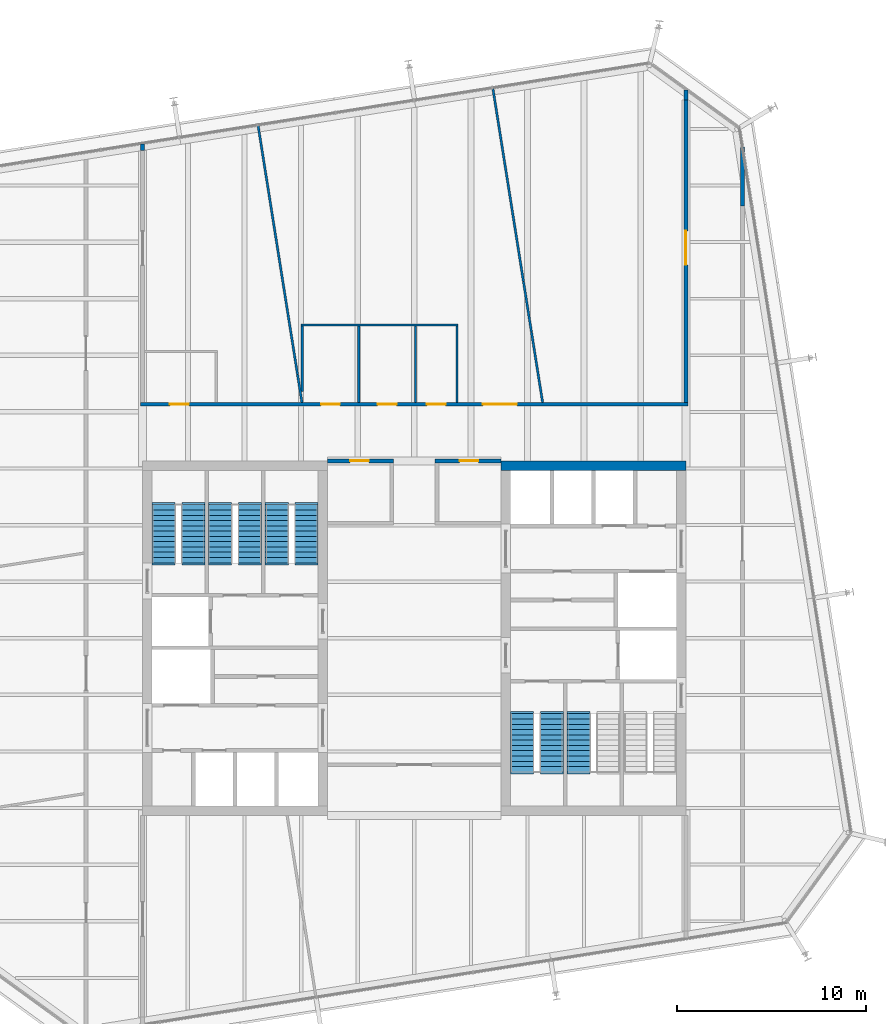
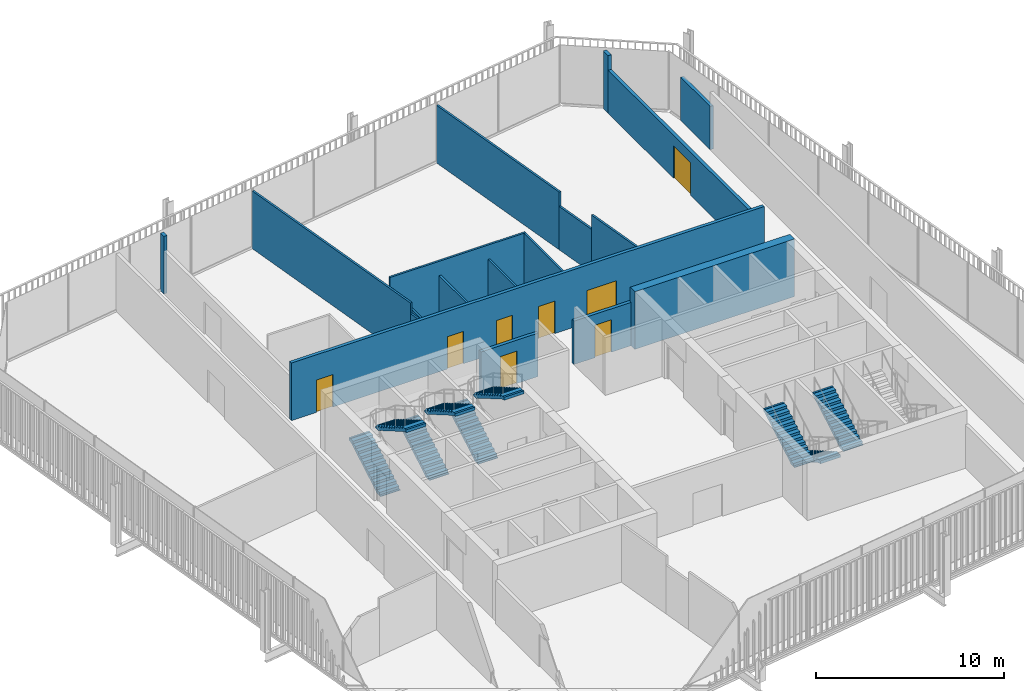
# One storey, part 18 of 20: 18 walls, 9 stair flights, 8 doors, 8 openings, 5 elements without a shape of their own.
"""IFC4 building model written with IfcOpenShell, lengths in metres."""

import ifcopenshell
import ifcopenshell.guid

model = None  # the IFC model being written
_history = None  # IfcOwnerHistory: only IFC2X3 demands one
_inside = {}  # id of a spatial element -> (the spatial element, [elements in it])
_under = {}  # id of a project, library or spatial element -> (it, [spatial elements below it])
_declared = {}  # id of a project -> (the project, [libraries it declares])
_typed = {}  # id of a type object -> (the type object, [elements of that type])
_made_of = {}  # id of a material, layer set ... -> (it, [elements and type objects made of it])


def new_model(schema):
    """Start an empty IFC model of exactly this schema.

    Asked for "IFC4X3", IfcOpenShell would pick the latest addendum, in which some entities
    have other attributes; the version numbers below select the first issue.
    IFC2X3 requires an IfcOwnerHistory on every rooted entity: one is made here for all.
    """
    global model, _history
    if schema == "IFC4X3":
        model = ifcopenshell.file(schema_version=(4, 3, 0, 0))
    else:
        model = ifcopenshell.file(schema=schema)
    _inside.clear()
    _under.clear()
    _declared.clear()
    _typed.clear()
    _made_of.clear()
    _history = None
    if model.schema == "IFC2X3":
        org = make("IfcOrganization", Name="unknown")
        user = make(
            "IfcPersonAndOrganization",
            ThePerson=make("IfcPerson", FamilyName="unknown"),
            TheOrganization=org,
        )
        app = make(
            "IfcApplication",
            ApplicationDeveloper=org,
            Version="unknown",
            ApplicationFullName="unknown",
            ApplicationIdentifier="unknown",
        )
        _history = make(
            "IfcOwnerHistory",
            OwningUser=user,
            OwningApplication=app,
            ChangeAction="ADDED",
            CreationDate=0,
        )
    return model


def make(cls, **values):
    """One entity of the class cls with the attributes given. An attribute that is None is left unset."""
    return model.create_entity(
        cls, **{name: value for name, value in values.items() if value is not None}
    )


def rooted(cls, **values):
    """An entity with a GlobalId (a new one), such as an element, a storey or a relation."""
    return make(cls, GlobalId=ifcopenshell.guid.new(), OwnerHistory=_history, **values)


def si_unit(unit_type, name, prefix=None):
    """IfcSIUnit, for example si_unit("LENGTHUNIT", "METRE", prefix="MILLI")."""
    return make("IfcSIUnit", UnitType=unit_type, Prefix=prefix, Name=name)


def assignment(units):
    """IfcUnitAssignment: the units of a project."""
    return None if units is None else make("IfcUnitAssignment", Units=units)


def point(xyz):
    """IfcCartesianPoint."""
    return None if xyz is None else make("IfcCartesianPoint", Coordinates=xyz)


def direction(xyz):
    """IfcDirection."""
    return None if xyz is None else make("IfcDirection", DirectionRatios=xyz)


def frame(location, z_axis=None, x_axis=None):
    """IfcAxis2Placement3D, a coordinate frame: its origin and axes. An axis left out is left unset."""
    return make(
        "IfcAxis2Placement3D",
        Location=point(location),
        Axis=direction(z_axis),
        RefDirection=direction(x_axis),
    )


def frame_2d(location, x_axis=None):
    """IfcAxis2Placement2D, a coordinate frame in the plane: its origin and x axis."""
    return make(
        "IfcAxis2Placement2D", Location=point(location), RefDirection=direction(x_axis)
    )


def origin():
    """The frame at (0, 0, 0) with its axes left unset."""
    return frame((0.0, 0.0, 0.0))


def place(relative_to, where):
    """IfcLocalPlacement: puts the frame where relative to a parent placement (None: the world)."""
    return make(
        "IfcLocalPlacement", PlacementRelTo=relative_to, RelativePlacement=where
    )


def context(
    kind, dimensions, precision=None, world=None, true_north=None, identifier=None
):
    """IfcGeometricRepresentationContext, for example the 3D "Model" context."""
    return make(
        "IfcGeometricRepresentationContext",
        ContextIdentifier=identifier,
        ContextType=kind,
        CoordinateSpaceDimension=dimensions,
        Precision=precision,
        WorldCoordinateSystem=world,
        TrueNorth=true_north,
    )


def subcontext(parent, identifier, kind, view, scale=None):
    """IfcGeometricRepresentationSubContext, for example "Body" below "Model"."""
    return make(
        "IfcGeometricRepresentationSubContext",
        ContextIdentifier=identifier,
        ContextType=kind,
        ParentContext=parent,
        TargetScale=scale,
        TargetView=view,
    )


def project(units=None, contexts=None):
    """IfcProject with its units and contexts."""
    return rooted(
        "IfcProject",
        Name="project",
        RepresentationContexts=contexts,
        UnitsInContext=assignment(units),
    )


def spatial(cls, under=None, at=None, **own):
    """A site, building, storey or space (cls), placed at a placement, below another one or the project."""
    s = rooted(cls, ObjectPlacement=at, **own)
    if under is not None:
        _under.setdefault(under.id(), (under, []))[1].append(s)
    return s


def polyline(points):
    """IfcPolyline through the points."""
    return make("IfcPolyline", Points=[point(p) for p in points])


def profile(cls, at=None, kind="AREA", **sizes):
    """A parametric profile (cls). Its sizes go by their IFC names, for example OverallWidth=200.0."""
    return make(cls, ProfileType=kind, Position=at, **sizes)


def rectangle(**sizes):
    """IfcRectangleProfileDef."""
    return profile("IfcRectangleProfileDef", **sizes)


def outline(outer, holes=None, kind="AREA"):
    """IfcArbitraryClosedProfileDef: a profile drawn as a closed curve; with holes, ...WithVoids."""
    if holes is None:
        return make("IfcArbitraryClosedProfileDef", ProfileType=kind, OuterCurve=outer)
    return make(
        "IfcArbitraryProfileDefWithVoids",
        ProfileType=kind,
        OuterCurve=outer,
        InnerCurves=holes,
    )


def extrude(swept, where, along, depth):
    """IfcExtrudedAreaSolid: the profile swept, set in the frame where, extruded along a direction by depth."""
    return make(
        "IfcExtrudedAreaSolid",
        SweptArea=swept,
        Position=where,
        ExtrudedDirection=direction(along),
        Depth=depth,
    )


def shape(context_of_items, identifier, shape_type, items):
    """IfcShapeRepresentation: the items that make up one representation, for example the "Body"."""
    return make(
        "IfcShapeRepresentation",
        ContextOfItems=context_of_items,
        RepresentationIdentifier=identifier,
        RepresentationType=shape_type,
        Items=items,
    )


def material(Name=None, Category=None):
    """IfcMaterial."""
    return make("IfcMaterial", Name=Name, Category=Category)


def layer(
    of_material, thickness, ventilated=None, Name=None, Category=None, Priority=None
):
    """IfcMaterialLayer: one layer of a wall or slab, of a material (None: an air gap)."""
    return make(
        "IfcMaterialLayer",
        Material=of_material,
        LayerThickness=thickness,
        IsVentilated=ventilated,
        Name=Name,
        Category=Category,
        Priority=Priority,
    )


def layer_set(layers, Name=None):
    """IfcMaterialLayerSet."""
    return make("IfcMaterialLayerSet", MaterialLayers=layers, LayerSetName=Name)


def made_of(thing, what):
    """Note that an element or type object is made of a material, layer set ...; save() writes the relation."""
    if what is not None:
        _made_of.setdefault(what.id(), (what, []))[1].append(thing)
    return thing


def type_object(cls, material=None, **own):
    """A type object (cls), such as IfcWallType, which elements share."""
    return made_of(rooted(cls, **own), material)


def element(
    cls,
    number,
    at=None,
    inside=None,
    cuts=None,
    type_object=None,
    material=None,
    context=None,
    identifier="Body",
    shape_type=None,
    held_by="IfcProductDefinitionShape",
    body=None,
    shapes=None,
    **own,
):
    """One element of the class cls, such as IfcWall. Its Tag is "e" and its number.

    at: its placement. inside: the storey or other place that contains it. cuts: it is an
    opening in that element (IfcRelVoidsElement). A single representation is given by context,
    identifier, shape_type and body (its items); several are given by shapes. held_by: the class
    of the entity that holds the representations. save() writes the other relations.
    """
    e = rooted(cls, Tag="e%d" % number, ObjectPlacement=at, **own)
    if body is not None:
        shapes = [shape(context, identifier, shape_type, body)]
    if shapes is not None:
        e.Representation = make(held_by, Representations=shapes)
    if inside is not None:
        _inside.setdefault(inside.id(), (inside, []))[1].append(e)
    if cuts is not None:
        rooted(
            "IfcRelVoidsElement", RelatingBuildingElement=cuts, RelatedOpeningElement=e
        )
    if type_object is not None:
        _typed.setdefault(type_object.id(), (type_object, []))[1].append(e)
    return made_of(e, material)


def fill(opening, filler):
    """IfcRelFillsElement: the door or window that sits in an opening."""
    return rooted(
        "IfcRelFillsElement",
        RelatingOpeningElement=opening,
        RelatedBuildingElement=filler,
    )


def aggregate(whole, parts):
    """IfcRelAggregates: a whole, such as a stair, and the parts it consists of."""
    return rooted("IfcRelAggregates", RelatingObject=whole, RelatedObjects=parts)


def save(model, path):
    """Write the relations noted so far, then the file.

    IfcRelAggregates (storeys below a building ...), IfcRelContainedInSpatialStructure (elements
    in a storey), IfcRelDefinesByType, IfcRelAssociatesMaterial and IfcRelDeclares: one each for
    every whole, place, type object, material and project.
    """
    for whole, parts in _under.values():
        aggregate(whole, parts)
    for where, things in _inside.values():
        rooted(
            "IfcRelContainedInSpatialStructure",
            RelatedElements=things,
            RelatingStructure=where,
        )
    for kind, things in _typed.values():
        rooted("IfcRelDefinesByType", RelatedObjects=things, RelatingType=kind)
    for what, things in _made_of.values():
        rooted("IfcRelAssociatesMaterial", RelatedObjects=things, RelatingMaterial=what)
    for by, libraries in _declared.values():
        rooted("IfcRelDeclares", RelatingContext=by, RelatedDefinitions=libraries)
    model.write(path)


model = new_model("IFC4")

# Units and contexts
model_context = context("Model", 3, precision=1e-05, world=origin(), true_north=direction((0.0, 1.0)))
body_context = subcontext(model_context, "Body", "Model", "MODEL_VIEW")
ifc_project = project(units=[si_unit("LENGTHUNIT", "METRE"), si_unit("AREAUNIT", "SQUARE_METRE"), si_unit("VOLUMEUNIT", "CUBIC_METRE"), si_unit("PLANEANGLEUNIT", "RADIAN"), si_unit("MASSUNIT", "GRAM", prefix="KILO")], contexts=[model_context])

# Site, building, storey
site_placement = place(None, origin())
site = spatial("IfcSite", under=ifc_project, at=site_placement, CompositionType="ELEMENT")
building_placement = place(site_placement, origin())
building = spatial("IfcBuilding", under=site, at=building_placement, Name="Millrace Tower", CompositionType="ELEMENT")
storey_placement = place(building_placement, frame((0.0, 0.0, 208.60009765625)))
storey = spatial("IfcBuildingStorey", under=building, at=storey_placement, Name="L47", CompositionType="ELEMENT", Elevation=208.60009765625)

# Wall
ifc_material_1 = material(Name="Concrete C60", Category="concrete")
ifc_layer_1 = layer(ifc_material_1, 0.5)
ifc_layer_set_1 = layer_set([ifc_layer_1], Name="Concrete C60")
wall_type_1 = type_object("IfcWallType", Name="Core wall 500 Concrete C60", PredefinedType="SHEAR", material=ifc_layer_set_1)
wall_1_placement = place(storey_placement, frame((14.39990234375, 9.14990234375, 0.0), z_axis=(0.0, 0.0, 1.0), x_axis=(-1.0, 0.0, 0.0)))
element("IfcWall", 1, at=wall_1_placement, inside=storey, type_object=wall_type_1, Name="Core wall E L47", PredefinedType="SHEAR", context=body_context, shape_type="SweptSolid", body=[
    extrude(rectangle(XDim=9.7998046875, YDim=0.5, at=frame_2d((4.89990234375, 0.0))), origin(), (0.0, 0.0, 1.0), 3.739990234375),
])

# Wall, opening, door
ifc_material_2 = material(Name="Masonry partition, fire-rated", Category="masonry")
ifc_layer_2 = layer(ifc_material_2, 0.199951171875)
ifc_layer_set_2 = layer_set([ifc_layer_2], Name="Masonry partition, fire-rated")
wall_type_2 = type_object("IfcWallType", Name="Corridor wall 200", PredefinedType="PARTITIONING", material=ifc_layer_set_2)
wall_2_placement = place(storey_placement, frame((-4.60009765625, 9.39990234375, 0.0), z_axis=(0.0, 0.0, 1.0), x_axis=(1.0, 0.0, 0.0)))
wall_2 = element("IfcWall", 2, at=wall_2_placement, inside=storey, type_object=wall_type_2, Name="Corridor wall L47", PredefinedType="PARTITIONING", context=body_context, shape_type="SweptSolid", body=[
    extrude(rectangle(XDim=3.5, YDim=0.199951171875, at=frame_2d((1.75, 0.0))), origin(), (0.0, 0.0, 1.0), 2.812744140625),
])
opening_1_placement = place(wall_2_placement, frame((1.199951171875, 0.0, 0.0)))
opening_1 = element("IfcOpeningElement", 3, at=opening_1_placement, cuts=wall_2, Name="Opening 47-P001", PredefinedType="OPENING", context=body_context, shape_type="SweptSolid", body=[
    extrude(rectangle(XDim=1.0, YDim=2.10009765625, at=frame_2d((0.5, 1.050048828125))), frame((0.0, 0.10986328125, 0.0), z_axis=(0.0, -1.0, 0.0), x_axis=(1.0, 0.0, 0.0)), (0.0, 0.0, 1.0), 0.219970703125),
])
ifc_material_3 = material(Name="Steel door set, fire-rated", Category="steel")
door_type_1 = type_object("IfcDoorType", Name="Corridor door 1000 x 2100", OperationType="SINGLE_SWING_LEFT", PredefinedType="DOOR", material=ifc_material_3)
door_1_placement = place(opening_1_placement, frame((1.0, 0.0, 0.0), z_axis=(0.0, 0.0, 1.0), x_axis=(-1.0, 0.0, 0.0)))
door_1 = element("IfcDoor", 4, at=door_1_placement, inside=storey, type_object=door_type_1, Name="Door 47-P001", OperationType="SINGLE_SWING_RIGHT", OverallHeight=2.10009765625, OverallWidth=1.0, PredefinedType="DOOR", context=body_context, shape_type="SweptSolid", body=[
    extrude(rectangle(XDim=1.0, YDim=2.10009765625, at=frame_2d((0.5, 1.050048828125))), frame((0.0, 0.02490234375, 0.0), z_axis=(0.0, -1.0, 0.0), x_axis=(1.0, 0.0, 0.0)), (0.0, 0.0, 1.0), 0.050048828125),
])
fill(opening_1, door_1)

wall_3_placement = place(storey_placement, frame((1.10009765625, 9.39990234375, 0.0), z_axis=(0.0, 0.0, 1.0), x_axis=(1.0, 0.0, 0.0)))
wall_3 = element("IfcWall", 5, at=wall_3_placement, inside=storey, type_object=wall_type_2, Name="Corridor wall L47", PredefinedType="PARTITIONING", context=body_context, shape_type="SweptSolid", body=[
    extrude(rectangle(XDim=3.5, YDim=0.199951171875, at=frame_2d((1.75, 0.0))), origin(), (0.0, 0.0, 1.0), 2.812744140625),
])
opening_2_placement = place(wall_3_placement, frame((1.300048828125, 0.0, 0.0)))
opening_2 = element("IfcOpeningElement", 6, at=opening_2_placement, cuts=wall_3, Name="Opening 47-P002", PredefinedType="OPENING", context=body_context, shape_type="SweptSolid", body=[
    extrude(rectangle(XDim=1.0, YDim=2.10009765625, at=frame_2d((0.5, 1.050048828125))), frame((0.0, 0.10986328125, 0.0), z_axis=(0.0, -1.0, 0.0), x_axis=(1.0, 0.0, 0.0)), (0.0, 0.0, 1.0), 0.219970703125),
])
door_2_placement = place(opening_2_placement, frame((1.0, 0.0, 0.0), z_axis=(0.0, 0.0, 1.0), x_axis=(-1.0, 0.0, 0.0)))
door_2 = element("IfcDoor", 7, at=door_2_placement, inside=storey, type_object=door_type_1, Name="Door 47-P002", OperationType="SINGLE_SWING_RIGHT", OverallHeight=2.10009765625, OverallWidth=1.0, PredefinedType="DOOR", context=body_context, shape_type="SweptSolid", body=[
    extrude(rectangle(XDim=1.0, YDim=2.10009765625, at=frame_2d((0.5, 1.050048828125))), frame((0.0, 0.02490234375, 0.0), z_axis=(0.0, -1.0, 0.0), x_axis=(1.0, 0.0, 0.0)), (0.0, 0.0, 1.0), 0.050048828125),
])
fill(opening_2, door_2)

# Wall, openings, doors
wall_4_placement = place(storey_placement, frame((-14.5, 12.39990234375, 0.0), z_axis=(0.0, 0.0, 1.0), x_axis=(1.0, 0.0, 0.0)))
wall_4 = element("IfcWall", 8, at=wall_4_placement, inside=storey, type_object=wall_type_2, Name="Corridor wall L47", PredefinedType="PARTITIONING", context=body_context, shape_type="SweptSolid", body=[
    extrude(rectangle(XDim=29.0, YDim=0.199951171875, at=frame_2d((14.5, 0.0))), origin(), (0.0, 0.0, 1.0), 3.739990234375),
])
opening_3_placement = place(wall_4_placement, frame((1.550048828125, 0.0, 0.0)))
opening_3 = element("IfcOpeningElement", 9, at=opening_3_placement, cuts=wall_4, Name="Opening 47-P007", PredefinedType="OPENING", context=body_context, shape_type="SweptSolid", body=[
    extrude(rectangle(XDim=1.0, YDim=2.10009765625, at=frame_2d((0.5, 1.050048828125))), frame((0.0, 0.10986328125, 0.0), z_axis=(0.0, -1.0, 0.0), x_axis=(1.0, 0.0, 0.0)), (0.0, 0.0, 1.0), 0.219970703125),
])
opening_4_placement = place(wall_4_placement, frame((18.140380859375, 0.0, 0.0)))
opening_4 = element("IfcOpeningElement", 10, at=opening_4_placement, cuts=wall_4, Name="Opening 47-P008", PredefinedType="OPENING", context=body_context, shape_type="SweptSolid", body=[
    extrude(rectangle(XDim=1.800048828125, YDim=2.10009765625, at=frame_2d((0.89990234375, 1.050048828125))), frame((0.0, 0.10986328125, 0.0), z_axis=(0.0, -1.0, 0.0), x_axis=(1.0, 0.0, 0.0)), (0.0, 0.0, 1.0), 0.219970703125),
])
opening_5_placement = place(wall_4_placement, frame((9.56201171875, 0.0, 0.0)))
opening_5 = element("IfcOpeningElement", 11, at=opening_5_placement, cuts=wall_4, Name="Opening 47-P009", PredefinedType="OPENING", context=body_context, shape_type="SweptSolid", body=[
    extrude(rectangle(XDim=1.0, YDim=2.10009765625, at=frame_2d((0.5, 1.050048828125))), frame((0.0, 0.10986328125, 0.0), z_axis=(0.0, -1.0, 0.0), x_axis=(1.0, 0.0, 0.0)), (0.0, 0.0, 1.0), 0.219970703125),
])
opening_6_placement = place(wall_4_placement, frame((12.56201171875, 0.0, 0.0)))
opening_6 = element("IfcOpeningElement", 12, at=opening_6_placement, cuts=wall_4, Name="Opening 47-P010", PredefinedType="OPENING", context=body_context, shape_type="SweptSolid", body=[
    extrude(rectangle(XDim=1.0, YDim=2.10009765625, at=frame_2d((0.5, 1.050048828125))), frame((0.0, 0.10986328125, 0.0), z_axis=(0.0, -1.0, 0.0), x_axis=(1.0, 0.0, 0.0)), (0.0, 0.0, 1.0), 0.219970703125),
])
opening_7_placement = place(wall_4_placement, frame((15.162109375, 0.0, 0.0)))
opening_7 = element("IfcOpeningElement", 13, at=opening_7_placement, cuts=wall_4, Name="Opening 47-P011", PredefinedType="OPENING", context=body_context, shape_type="SweptSolid", body=[
    extrude(rectangle(XDim=1.0, YDim=2.10009765625, at=frame_2d((0.5, 1.050048828125))), frame((0.0, 0.10986328125, 0.0), z_axis=(0.0, -1.0, 0.0), x_axis=(1.0, 0.0, 0.0)), (0.0, 0.0, 1.0), 0.219970703125),
])
door_3_placement = place(opening_3_placement, origin())
door_3 = element("IfcDoor", 14, at=door_3_placement, inside=storey, type_object=door_type_1, Name="Door 47-P007", OperationType="SINGLE_SWING_LEFT", OverallHeight=2.10009765625, OverallWidth=1.0, PredefinedType="DOOR", context=body_context, shape_type="SweptSolid", body=[
    extrude(rectangle(XDim=1.0, YDim=2.10009765625, at=frame_2d((0.5, 1.050048828125))), frame((0.0, 0.02490234375, 0.0), z_axis=(0.0, -1.0, 0.0), x_axis=(1.0, 0.0, 0.0)), (0.0, 0.0, 1.0), 0.050048828125),
])
fill(opening_3, door_3)
door_4_placement = place(opening_5_placement, origin())
door_4 = element("IfcDoor", 15, at=door_4_placement, inside=storey, type_object=door_type_1, Name="Door 47-P009", OperationType="SINGLE_SWING_LEFT", OverallHeight=2.10009765625, OverallWidth=1.0, PredefinedType="DOOR", context=body_context, shape_type="SweptSolid", body=[
    extrude(rectangle(XDim=1.0, YDim=2.10009765625, at=frame_2d((0.5, 1.050048828125))), frame((0.0, 0.02490234375, 0.0), z_axis=(0.0, -1.0, 0.0), x_axis=(1.0, 0.0, 0.0)), (0.0, 0.0, 1.0), 0.050048828125),
])
fill(opening_5, door_4)
door_5_placement = place(opening_6_placement, origin())
door_5 = element("IfcDoor", 16, at=door_5_placement, inside=storey, type_object=door_type_1, Name="Door 47-P010", OperationType="SINGLE_SWING_LEFT", OverallHeight=2.10009765625, OverallWidth=1.0, PredefinedType="DOOR", context=body_context, shape_type="SweptSolid", body=[
    extrude(rectangle(XDim=1.0, YDim=2.10009765625, at=frame_2d((0.5, 1.050048828125))), frame((0.0, 0.02490234375, 0.0), z_axis=(0.0, -1.0, 0.0), x_axis=(1.0, 0.0, 0.0)), (0.0, 0.0, 1.0), 0.050048828125),
])
fill(opening_6, door_5)
door_6_placement = place(opening_7_placement, origin())
door_6 = element("IfcDoor", 17, at=door_6_placement, inside=storey, type_object=door_type_1, Name="Door 47-P011", OperationType="SINGLE_SWING_RIGHT", OverallHeight=2.10009765625, OverallWidth=1.0, PredefinedType="DOOR", context=body_context, shape_type="SweptSolid", body=[
    extrude(rectangle(XDim=1.0, YDim=2.10009765625, at=frame_2d((0.5, 1.050048828125))), frame((0.0, 0.02490234375, 0.0), z_axis=(0.0, -1.0, 0.0), x_axis=(1.0, 0.0, 0.0)), (0.0, 0.0, 1.0), 0.050048828125),
])
fill(opening_7, door_6)
ifc_material_4 = material(Name="Steel door set, fire-rated", Category="steel")
door_type_2 = type_object("IfcDoorType", Name="Corridor door 1800 x 2100", OperationType="DOUBLE_DOOR_SINGLE_SWING", PredefinedType="DOOR", material=ifc_material_4)
door_7_placement = place(opening_4_placement, frame((1.800048828125, 0.0, 0.0), z_axis=(0.0, 0.0, 1.0), x_axis=(-1.0, 0.0, 0.0)))
door_7 = element("IfcDoor", 18, at=door_7_placement, inside=storey, type_object=door_type_2, Name="Door 47-P008", OperationType="DOUBLE_DOOR_SINGLE_SWING", OverallHeight=2.10009765625, OverallWidth=1.800048828125, PredefinedType="DOOR", context=body_context, shape_type="SweptSolid", body=[
    extrude(rectangle(XDim=1.800048828125, YDim=2.10009765625, at=frame_2d((0.89990234375, 1.050048828125))), frame((0.0, 0.02490234375, 0.0), z_axis=(0.0, -1.0, 0.0), x_axis=(1.0, 0.0, 0.0)), (0.0, 0.0, 1.0), 0.050048828125),
])
fill(opening_4, door_7)

# Wall
wall_5_placement = place(storey_placement, frame((17.39990234375, 22.9052734375, 0.0), z_axis=(0.0, 0.0, 1.0), x_axis=(0.0, 1.0, 0.0)))
element("IfcWall", 19, at=wall_5_placement, inside=storey, type_object=wall_type_2, Name="Corridor wall L47", PredefinedType="PARTITIONING", context=body_context, shape_type="SweptSolid", body=[
    extrude(rectangle(XDim=3.137451171875, YDim=0.199951171875, at=frame_2d((1.56884765625, 0.0))), origin(), (0.0, 0.0, 1.0), 2.812744140625),
])

# Wall, opening, door
wall_6_placement = place(storey_placement, frame((14.39990234375, 12.5, 0.0), z_axis=(0.0, 0.0, 1.0), x_axis=(0.0, 1.0, 0.0)))
wall_6 = element("IfcWall", 20, at=wall_6_placement, inside=storey, type_object=wall_type_2, Name="Corridor wall L47", PredefinedType="PARTITIONING", context=body_context, shape_type="SweptSolid", body=[
    extrude(rectangle(XDim=16.040771484375, YDim=0.199951171875, at=frame_2d((8.0205078125, 0.0))), origin(), (0.0, 0.0, 1.0), 2.79248046875),
])
opening_8_placement = place(wall_6_placement, frame((7.298095703125, 0.0, 0.0)))
opening_8 = element("IfcOpeningElement", 21, at=opening_8_placement, cuts=wall_6, Name="Opening 47-P012", PredefinedType="OPENING", context=body_context, shape_type="SweptSolid", body=[
    extrude(rectangle(XDim=1.800048828125, YDim=2.10009765625, at=frame_2d((0.89990234375, 1.050048828125))), frame((0.0, 0.10986328125, 0.0), z_axis=(0.0, -1.0, 0.0), x_axis=(1.0, 0.0, 0.0)), (0.0, 0.0, 1.0), 0.219970703125),
])
door_8_placement = place(opening_8_placement, frame((1.800048828125, 0.0, 0.0), z_axis=(0.0, 0.0, 1.0), x_axis=(-1.0, 0.0, 0.0)))
door_8 = element("IfcDoor", 22, at=door_8_placement, inside=storey, type_object=door_type_2, Name="Door 47-P012", OperationType="DOUBLE_DOOR_SINGLE_SWING", OverallHeight=2.10009765625, OverallWidth=1.800048828125, PredefinedType="DOOR", context=body_context, shape_type="SweptSolid", body=[
    extrude(rectangle(XDim=1.800048828125, YDim=2.10009765625, at=frame_2d((0.89990234375, 1.050048828125))), frame((0.0, 0.02490234375, 0.0), z_axis=(0.0, -1.0, 0.0), x_axis=(1.0, 0.0, 0.0)), (0.0, 0.0, 1.0), 0.050048828125),
])
fill(opening_8, door_8)

# Walls
wall_7_placement = place(storey_placement, frame((14.39990234375, 28.540771484375, 0.0), z_axis=(0.0, 0.0, 1.0), x_axis=(0.0, 1.0, 0.0)))
element("IfcWall", 23, at=wall_7_placement, inside=storey, type_object=wall_type_2, Name="Corridor wall L47", PredefinedType="PARTITIONING", context=body_context, shape_type="SweptSolid", body=[
    extrude(rectangle(XDim=0.51708984375, YDim=0.199951171875, at=frame_2d((0.258544921875, 0.0))), origin(), (0.0, 0.0, 1.0), 3.739990234375),
])
wall_8_placement = place(storey_placement, frame((-14.39990234375, 25.8486328125, 0.0), z_axis=(0.0, 0.0, 1.0), x_axis=(0.0, 1.0, 0.0)))
element("IfcWall", 24, at=wall_8_placement, inside=storey, type_object=wall_type_2, Name="Corridor wall L47", PredefinedType="PARTITIONING", context=body_context, shape_type="SweptSolid", body=[
    extrude(rectangle(XDim=0.349609375, YDim=0.199951171875, at=frame_2d((0.1748046875, 0.0))), origin(), (0.0, 0.0, 1.0), 3.739990234375),
])
ifc_material_5 = material(Name="Gypsum board partition")
ifc_layer_3 = layer(ifc_material_5, 0.1201171875)
ifc_layer_set_3 = layer_set([ifc_layer_3], Name="Gypsum board partition")
wall_type_3 = type_object("IfcWallType", Name="Partition wall 120", PredefinedType="PARTITIONING", material=ifc_layer_set_3)
wall_9_placement = place(storey_placement, frame((-8.27685546875, 27.16796875, 0.0), z_axis=(0.0, 0.0, 1.0), x_axis=(0.156426233908, -0.987689644243, 0.0)))
element("IfcWall", 25, at=wall_9_placement, inside=storey, type_object=wall_type_3, Name="Partition wall L47", PredefinedType="PARTITIONING", context=body_context, shape_type="SweptSolid", body=[
    extrude(rectangle(XDim=13.356689453125, YDim=0.1201171875, at=frame_2d((6.67822265625, 0.0))), origin(), (0.0, 0.0, 1.0), 3.739990234375),
])
wall_10_placement = place(storey_placement, frame((-6.1875, 13.9755859375, 0.0), z_axis=(0.0, 0.0, 1.0), x_axis=(0.156423716504, -0.987690042936, 0.0)))
element("IfcWall", 26, at=wall_10_placement, inside=storey, type_object=wall_type_3, Name="Partition wall L47", PredefinedType="PARTITIONING", context=body_context, shape_type="SweptSolid", body=[
    extrude(rectangle(XDim=1.4951171875, YDim=0.1201171875, at=frame_2d((0.74755859375, 0.0))), origin(), (0.0, 0.0, 1.0), 3.04638671875),
])
wall_11_placement = place(storey_placement, frame((4.168212890625, 29.13916015625, 0.0), z_axis=(0.0, 0.0, 1.0), x_axis=(0.156414369749, -0.987691523167, 0.0)))
element("IfcWall", 27, at=wall_11_placement, inside=storey, type_object=wall_type_3, Name="Partition wall L47", PredefinedType="PARTITIONING", context=body_context, shape_type="SweptSolid", body=[
    extrude(rectangle(XDim=10.35009765625, YDim=0.1201171875, at=frame_2d((5.175048828125, 0.0))), origin(), (0.0, 0.0, 1.0), 3.739990234375),
])
wall_12_placement = place(storey_placement, frame((5.787109375, 18.91650390625, 0.0), z_axis=(0.0, 0.0, 1.0), x_axis=(0.156381577148, -0.987696715763, 0.0)))
element("IfcWall", 28, at=wall_12_placement, inside=storey, type_object=wall_type_3, Name="Partition wall L47", PredefinedType="PARTITIONING", context=body_context, shape_type="SweptSolid", body=[
    extrude(rectangle(XDim=2.72265625, YDim=0.1201171875, at=frame_2d((1.361328125, 0.0))), origin(), (0.0, 0.0, 1.0), 2.812744140625),
])
wall_13_placement = place(storey_placement, frame((6.212890625, 16.227294921875, 0.0), z_axis=(0.0, 0.0, 1.0), x_axis=(0.15644410697, -0.987686813415, 0.0)))
element("IfcWall", 29, at=wall_13_placement, inside=storey, type_object=wall_type_3, Name="Partition wall L47", PredefinedType="PARTITIONING", context=body_context, shape_type="SweptSolid", body=[
    extrude(rectangle(XDim=3.77490234375, YDim=0.1201171875, at=frame_2d((1.887451171875, 0.0))), origin(), (0.0, 0.0, 1.0), 3.739990234375),
])
wall_14_placement = place(storey_placement, frame((-5.998046875, 16.60009765625, 0.0), z_axis=(0.0, 0.0, 1.0), x_axis=(1.0, 0.0, 0.0)))
element("IfcWall", 30, at=wall_14_placement, inside=storey, type_object=wall_type_3, Name="Partition wall L47", PredefinedType="PARTITIONING", context=body_context, shape_type="SweptSolid", body=[
    extrude(rectangle(XDim=8.320068359375, YDim=0.1201171875, at=frame_2d((4.16015625, 0.0))), origin(), (0.0, 0.0, 1.0), 3.739990234375),
])
wall_15_placement = place(storey_placement, frame((2.261962890625, 12.5, 0.0), z_axis=(0.0, 0.0, 1.0), x_axis=(0.0, 1.0, 0.0)))
element("IfcWall", 31, at=wall_15_placement, inside=storey, type_object=wall_type_3, Name="Partition wall L47", PredefinedType="PARTITIONING", context=body_context, shape_type="SweptSolid", body=[
    extrude(rectangle(XDim=4.0400390625, YDim=0.1201171875, at=frame_2d((2.02001953125, 0.0))), origin(), (0.0, 0.0, 1.0), 3.739990234375),
])
for number, where, z_axis, x_axis, name in (
    (32, (0.06201171875, 12.5, 0.0), (0.0, 0.0, 1.0), (0.0, 1.0, 0.0), "Partition wall L47"),
    (33, (-2.93798828125, 12.5, 0.0), (0.0, 0.0, 1.0), (0.0, 1.0, 0.0), "Partition wall L47"),
):
    element("IfcWall", number, at=place(storey_placement, frame(where, z_axis=z_axis, x_axis=x_axis)), inside=storey, type_object=wall_type_3, Name=name, PredefinedType="PARTITIONING", context=body_context, shape_type="SweptSolid", body=[
        extrude(rectangle(XDim=4.0400390625, YDim=0.1201171875, at=frame_2d((2.02001953125, 0.0))), origin(), (0.0, 0.0, 1.0), 2.812744140625),
    ])
wall_16_placement = place(storey_placement, frame((-5.93798828125, 13.067626953125, 0.0), z_axis=(0.0, 0.0, 1.0), x_axis=(0.0, 1.0, 0.0)))
element("IfcWall", 34, at=wall_16_placement, inside=storey, type_object=wall_type_3, Name="Partition wall L47", PredefinedType="PARTITIONING", context=body_context, shape_type="SweptSolid", body=[
    extrude(rectangle(XDim=3.472412109375, YDim=0.1201171875, at=frame_2d((1.736328125, 0.0))), origin(), (0.0, 0.0, 1.0), 3.04638671875),
])

# Stair, stair flights
ifc_material_6 = material(Name="Concrete C35", Category="concrete")
stair_type = type_object("IfcStairType", Name="Exit stair", PredefinedType="HALF_TURN_STAIR", material=ifc_material_6)
placement = place(storey_placement, origin())
stair_1 = element("IfcStair", 35, at=placement, inside=storey, type_object=stair_type, Name="Stair 1 W L47", PredefinedType="HALF_TURN_STAIR")
ifc_material_7 = material(Name="Concrete C35", Category="concrete")
stair_flight_type = type_object("IfcStairFlightType", Name="Exit stair flight", PredefinedType="STRAIGHT", material=ifc_material_7)
stair_flight_1_placement = place(storey_placement, frame((-13.2900390625, 4.0, 0.0), z_axis=(0.0, 0.0, 1.0), x_axis=(0.0, 1.0, 0.0)))
stair_flight_1 = element("IfcStairFlight", 36, at=stair_flight_1_placement, type_object=stair_flight_type, Name="ST12 flight 1", NumberOfRisers=12, NumberOfTreads=11, PredefinedType="STRAIGHT", RiserHeight=0.1625, TreadLength=0.28, context=body_context, shape_type="SweptSolid", body=[
    extrude(outline(polyline([(-0.1201171875, -0.0400390625), (-0.1201171875, 0.0), (0.0, 0.0), (0.0, 0.16259765625), (0.280029296875, 0.16259765625), (0.280029296875, 0.324951171875), (0.56005859375, 0.324951171875), (0.56005859375, 0.487548828125), (0.840087890625, 0.487548828125), (0.840087890625, 0.64990234375), (1.1201171875, 0.64990234375), (1.1201171875, 0.8125), (1.39990234375, 0.8125), (1.39990234375, 0.97509765625), (1.679931640625, 0.97509765625), (1.679931640625, 1.137451171875), (1.9599609375, 1.137451171875), (1.9599609375, 1.300048828125), (2.239990234375, 1.300048828125), (2.239990234375, 1.46240234375), (2.52001953125, 1.46240234375), (2.52001953125, 1.625), (2.800048828125, 1.625), (2.800048828125, 1.78759765625), (3.080078125, 1.78759765625), (3.080078125, 1.8076171875), (3.199951171875, 1.8076171875), (3.199951171875, 1.6142578125), (3.080078125, 1.6142578125), (0.298583984375, 0.0), (0.298583984375, -0.0400390625), (-0.1201171875, -0.0400390625)])), frame((0.0, 0.60986328125, 0.0), z_axis=(0.0, -1.0, 0.0), x_axis=(1.0, 0.0, 0.0)), (0.0, 0.0, 1.0), 1.219970703125),
])
stair_flight_2_placement = place(storey_placement, frame((-11.7099609375, 7.080078125, 1.949951171875), z_axis=(0.0, 0.0, 1.0), x_axis=(0.0, -1.0, 0.0)))
stair_flight_2 = element("IfcStairFlight", 37, at=stair_flight_2_placement, type_object=stair_flight_type, Name="ST12 flight 2", NumberOfRisers=12, NumberOfTreads=11, PredefinedType="STRAIGHT", RiserHeight=0.1625, TreadLength=0.28, context=body_context, shape_type="SweptSolid", body=[
    extrude(outline(polyline([(-0.1201171875, -0.0400390625), (-0.1201171875, 0.0), (0.0, 0.0), (0.0, 0.16259765625), (0.280029296875, 0.16259765625), (0.280029296875, 0.324951171875), (0.56005859375, 0.324951171875), (0.56005859375, 0.487548828125), (0.840087890625, 0.487548828125), (0.840087890625, 0.64990234375), (1.1201171875, 0.64990234375), (1.1201171875, 0.8125), (1.39990234375, 0.8125), (1.39990234375, 0.97509765625), (1.679931640625, 0.97509765625), (1.679931640625, 1.137451171875), (1.9599609375, 1.137451171875), (1.9599609375, 1.300048828125), (2.239990234375, 1.300048828125), (2.239990234375, 1.46240234375), (2.52001953125, 1.46240234375), (2.52001953125, 1.625), (2.800048828125, 1.625), (2.800048828125, 1.78759765625), (3.080078125, 1.78759765625), (3.080078125, 1.8076171875), (3.199951171875, 1.8076171875), (3.199951171875, 1.6142578125), (3.080078125, 1.6142578125), (0.298583984375, 0.0), (0.298583984375, -0.0400390625), (-0.1201171875, -0.0400390625)])), frame((0.0, 0.60986328125, 0.0), z_axis=(0.0, -1.0, 0.0), x_axis=(1.0, 0.0, 0.0)), (0.0, 0.0, 1.0), 1.219970703125),
])
aggregate(stair_1, [stair_flight_1, stair_flight_2])

stair_2 = element("IfcStair", 38, at=placement, inside=storey, type_object=stair_type, Name="Stair 2 W L47", PredefinedType="HALF_TURN_STAIR")
stair_flight_3_placement = place(storey_placement, frame((-10.2900390625, 4.0, 0.0), z_axis=(0.0, 0.0, 1.0), x_axis=(0.0, 1.0, 0.0)))
stair_flight_3 = element("IfcStairFlight", 39, at=stair_flight_3_placement, type_object=stair_flight_type, Name="ST12 flight 1", NumberOfRisers=12, NumberOfTreads=11, PredefinedType="STRAIGHT", RiserHeight=0.1625, TreadLength=0.28, context=body_context, shape_type="SweptSolid", body=[
    extrude(outline(polyline([(-0.1201171875, -0.0400390625), (-0.1201171875, 0.0), (0.0, 0.0), (0.0, 0.16259765625), (0.280029296875, 0.16259765625), (0.280029296875, 0.324951171875), (0.56005859375, 0.324951171875), (0.56005859375, 0.487548828125), (0.840087890625, 0.487548828125), (0.840087890625, 0.64990234375), (1.1201171875, 0.64990234375), (1.1201171875, 0.8125), (1.39990234375, 0.8125), (1.39990234375, 0.97509765625), (1.679931640625, 0.97509765625), (1.679931640625, 1.137451171875), (1.9599609375, 1.137451171875), (1.9599609375, 1.300048828125), (2.239990234375, 1.300048828125), (2.239990234375, 1.46240234375), (2.52001953125, 1.46240234375), (2.52001953125, 1.625), (2.800048828125, 1.625), (2.800048828125, 1.78759765625), (3.080078125, 1.78759765625), (3.080078125, 1.8076171875), (3.199951171875, 1.8076171875), (3.199951171875, 1.6142578125), (3.080078125, 1.6142578125), (0.298583984375, 0.0), (0.298583984375, -0.0400390625), (-0.1201171875, -0.0400390625)])), frame((0.0, 0.60986328125, 0.0), z_axis=(0.0, -1.0, 0.0), x_axis=(1.0, 0.0, 0.0)), (0.0, 0.0, 1.0), 1.219970703125),
])
stair_flight_4_placement = place(storey_placement, frame((-8.7099609375, 7.080078125, 1.949951171875), z_axis=(0.0, 0.0, 1.0), x_axis=(0.0, -1.0, 0.0)))
stair_flight_4 = element("IfcStairFlight", 40, at=stair_flight_4_placement, type_object=stair_flight_type, Name="ST12 flight 2", NumberOfRisers=12, NumberOfTreads=11, PredefinedType="STRAIGHT", RiserHeight=0.1625, TreadLength=0.28, context=body_context, shape_type="SweptSolid", body=[
    extrude(outline(polyline([(-0.1201171875, -0.0400390625), (-0.1201171875, 0.0), (0.0, 0.0), (0.0, 0.16259765625), (0.280029296875, 0.16259765625), (0.280029296875, 0.324951171875), (0.56005859375, 0.324951171875), (0.56005859375, 0.487548828125), (0.840087890625, 0.487548828125), (0.840087890625, 0.64990234375), (1.1201171875, 0.64990234375), (1.1201171875, 0.8125), (1.39990234375, 0.8125), (1.39990234375, 0.97509765625), (1.679931640625, 0.97509765625), (1.679931640625, 1.137451171875), (1.9599609375, 1.137451171875), (1.9599609375, 1.300048828125), (2.239990234375, 1.300048828125), (2.239990234375, 1.46240234375), (2.52001953125, 1.46240234375), (2.52001953125, 1.625), (2.800048828125, 1.625), (2.800048828125, 1.78759765625), (3.080078125, 1.78759765625), (3.080078125, 1.8076171875), (3.199951171875, 1.8076171875), (3.199951171875, 1.6142578125), (3.080078125, 1.6142578125), (0.298583984375, 0.0), (0.298583984375, -0.0400390625), (-0.1201171875, -0.0400390625)])), frame((0.0, 0.60986328125, 0.0), z_axis=(0.0, -1.0, 0.0), x_axis=(1.0, 0.0, 0.0)), (0.0, 0.0, 1.0), 1.219970703125),
])
aggregate(stair_2, [stair_flight_3, stair_flight_4])

stair_3 = element("IfcStair", 41, at=placement, inside=storey, type_object=stair_type, Name="Stair 3 W L47", PredefinedType="HALF_TURN_STAIR")
stair_flight_5_placement = place(storey_placement, frame((-7.2900390625, 4.0, 0.0), z_axis=(0.0, 0.0, 1.0), x_axis=(0.0, 1.0, 0.0)))
stair_flight_5 = element("IfcStairFlight", 42, at=stair_flight_5_placement, type_object=stair_flight_type, Name="ST12 flight 1", NumberOfRisers=12, NumberOfTreads=11, PredefinedType="STRAIGHT", RiserHeight=0.1625, TreadLength=0.28, context=body_context, shape_type="SweptSolid", body=[
    extrude(outline(polyline([(-0.1201171875, -0.0400390625), (-0.1201171875, 0.0), (0.0, 0.0), (0.0, 0.16259765625), (0.280029296875, 0.16259765625), (0.280029296875, 0.324951171875), (0.56005859375, 0.324951171875), (0.56005859375, 0.487548828125), (0.840087890625, 0.487548828125), (0.840087890625, 0.64990234375), (1.1201171875, 0.64990234375), (1.1201171875, 0.8125), (1.39990234375, 0.8125), (1.39990234375, 0.97509765625), (1.679931640625, 0.97509765625), (1.679931640625, 1.137451171875), (1.9599609375, 1.137451171875), (1.9599609375, 1.300048828125), (2.239990234375, 1.300048828125), (2.239990234375, 1.46240234375), (2.52001953125, 1.46240234375), (2.52001953125, 1.625), (2.800048828125, 1.625), (2.800048828125, 1.78759765625), (3.080078125, 1.78759765625), (3.080078125, 1.8076171875), (3.199951171875, 1.8076171875), (3.199951171875, 1.6142578125), (3.080078125, 1.6142578125), (0.298583984375, 0.0), (0.298583984375, -0.0400390625), (-0.1201171875, -0.0400390625)])), frame((0.0, 0.60986328125, 0.0), z_axis=(0.0, -1.0, 0.0), x_axis=(1.0, 0.0, 0.0)), (0.0, 0.0, 1.0), 1.219970703125),
])
stair_flight_6_placement = place(storey_placement, frame((-5.7099609375, 7.080078125, 1.949951171875), z_axis=(0.0, 0.0, 1.0), x_axis=(0.0, -1.0, 0.0)))
stair_flight_6 = element("IfcStairFlight", 43, at=stair_flight_6_placement, type_object=stair_flight_type, Name="ST12 flight 2", NumberOfRisers=12, NumberOfTreads=11, PredefinedType="STRAIGHT", RiserHeight=0.1625, TreadLength=0.28, context=body_context, shape_type="SweptSolid", body=[
    extrude(outline(polyline([(-0.1201171875, -0.0400390625), (-0.1201171875, 0.0), (0.0, 0.0), (0.0, 0.16259765625), (0.280029296875, 0.16259765625), (0.280029296875, 0.324951171875), (0.56005859375, 0.324951171875), (0.56005859375, 0.487548828125), (0.840087890625, 0.487548828125), (0.840087890625, 0.64990234375), (1.1201171875, 0.64990234375), (1.1201171875, 0.8125), (1.39990234375, 0.8125), (1.39990234375, 0.97509765625), (1.679931640625, 0.97509765625), (1.679931640625, 1.137451171875), (1.9599609375, 1.137451171875), (1.9599609375, 1.300048828125), (2.239990234375, 1.300048828125), (2.239990234375, 1.46240234375), (2.52001953125, 1.46240234375), (2.52001953125, 1.625), (2.800048828125, 1.625), (2.800048828125, 1.78759765625), (3.080078125, 1.78759765625), (3.080078125, 1.8076171875), (3.199951171875, 1.8076171875), (3.199951171875, 1.6142578125), (3.080078125, 1.6142578125), (0.298583984375, 0.0), (0.298583984375, -0.0400390625), (-0.1201171875, -0.0400390625)])), frame((0.0, 0.60986328125, 0.0), z_axis=(0.0, -1.0, 0.0), x_axis=(1.0, 0.0, 0.0)), (0.0, 0.0, 1.0), 1.219970703125),
])
aggregate(stair_3, [stair_flight_5, stair_flight_6])

# Stair, stair flight
stair_4 = element("IfcStair", 44, at=placement, inside=storey, type_object=stair_type, Name="Stair 2 E L47", PredefinedType="HALF_TURN_STAIR")
stair_flight_7_placement = place(storey_placement, frame((8.7099609375, -7.080078125, 1.949951171875), z_axis=(0.0, 0.0, 1.0), x_axis=(0.0, 1.0, 0.0)))
stair_flight_7 = element("IfcStairFlight", 45, at=stair_flight_7_placement, type_object=stair_flight_type, Name="ST12 flight 2", NumberOfRisers=12, NumberOfTreads=11, PredefinedType="STRAIGHT", RiserHeight=0.1625, TreadLength=0.28, context=body_context, shape_type="SweptSolid", body=[
    extrude(outline(polyline([(-0.1201171875, -0.0400390625), (-0.1201171875, 0.0), (0.0, 0.0), (0.0, 0.16259765625), (0.280029296875, 0.16259765625), (0.280029296875, 0.324951171875), (0.56005859375, 0.324951171875), (0.56005859375, 0.487548828125), (0.840087890625, 0.487548828125), (0.840087890625, 0.64990234375), (1.1201171875, 0.64990234375), (1.1201171875, 0.8125), (1.39990234375, 0.8125), (1.39990234375, 0.97509765625), (1.679931640625, 0.97509765625), (1.679931640625, 1.137451171875), (1.9599609375, 1.137451171875), (1.9599609375, 1.300048828125), (2.239990234375, 1.300048828125), (2.239990234375, 1.46240234375), (2.52001953125, 1.46240234375), (2.52001953125, 1.625), (2.800048828125, 1.625), (2.800048828125, 1.78759765625), (3.080078125, 1.78759765625), (3.080078125, 1.8076171875), (3.199951171875, 1.8076171875), (3.199951171875, 1.6142578125), (3.080078125, 1.6142578125), (0.298583984375, 0.0), (0.298583984375, -0.0400390625), (-0.1201171875, -0.0400390625)])), frame((0.0, 0.60986328125, 0.0), z_axis=(0.0, -1.0, 0.0), x_axis=(1.0, 0.0, 0.0)), (0.0, 0.0, 1.0), 1.219970703125),
])
aggregate(stair_4, [stair_flight_7])

# Stair, stair flights
stair_5 = element("IfcStair", 46, at=placement, inside=storey, type_object=stair_type, Name="Stair 3 E L47", PredefinedType="HALF_TURN_STAIR")
stair_flight_8_placement = place(storey_placement, frame((7.2900390625, -4.0, 0.0), z_axis=(0.0, 0.0, 1.0), x_axis=(0.0, -1.0, 0.0)))
stair_flight_8 = element("IfcStairFlight", 47, at=stair_flight_8_placement, type_object=stair_flight_type, Name="ST12 flight 1", NumberOfRisers=12, NumberOfTreads=11, PredefinedType="STRAIGHT", RiserHeight=0.1625, TreadLength=0.28, context=body_context, shape_type="SweptSolid", body=[
    extrude(outline(polyline([(-0.1201171875, -0.0400390625), (-0.1201171875, 0.0), (0.0, 0.0), (0.0, 0.16259765625), (0.280029296875, 0.16259765625), (0.280029296875, 0.324951171875), (0.56005859375, 0.324951171875), (0.56005859375, 0.487548828125), (0.840087890625, 0.487548828125), (0.840087890625, 0.64990234375), (1.1201171875, 0.64990234375), (1.1201171875, 0.8125), (1.39990234375, 0.8125), (1.39990234375, 0.97509765625), (1.679931640625, 0.97509765625), (1.679931640625, 1.137451171875), (1.9599609375, 1.137451171875), (1.9599609375, 1.300048828125), (2.239990234375, 1.300048828125), (2.239990234375, 1.46240234375), (2.52001953125, 1.46240234375), (2.52001953125, 1.625), (2.800048828125, 1.625), (2.800048828125, 1.78759765625), (3.080078125, 1.78759765625), (3.080078125, 1.8076171875), (3.199951171875, 1.8076171875), (3.199951171875, 1.6142578125), (3.080078125, 1.6142578125), (0.298583984375, 0.0), (0.298583984375, -0.0400390625), (-0.1201171875, -0.0400390625)])), frame((0.0, 0.60986328125, 0.0), z_axis=(0.0, -1.0, 0.0), x_axis=(1.0, 0.0, 0.0)), (0.0, 0.0, 1.0), 1.219970703125),
])
stair_flight_9_placement = place(storey_placement, frame((5.7099609375, -7.080078125, 1.949951171875), z_axis=(0.0, 0.0, 1.0), x_axis=(0.0, 1.0, 0.0)))
stair_flight_9 = element("IfcStairFlight", 48, at=stair_flight_9_placement, type_object=stair_flight_type, Name="ST12 flight 2", NumberOfRisers=12, NumberOfTreads=11, PredefinedType="STRAIGHT", RiserHeight=0.1625, TreadLength=0.28, context=body_context, shape_type="SweptSolid", body=[
    extrude(outline(polyline([(-0.1201171875, -0.0400390625), (-0.1201171875, 0.0), (0.0, 0.0), (0.0, 0.16259765625), (0.280029296875, 0.16259765625), (0.280029296875, 0.324951171875), (0.56005859375, 0.324951171875), (0.56005859375, 0.487548828125), (0.840087890625, 0.487548828125), (0.840087890625, 0.64990234375), (1.1201171875, 0.64990234375), (1.1201171875, 0.8125), (1.39990234375, 0.8125), (1.39990234375, 0.97509765625), (1.679931640625, 0.97509765625), (1.679931640625, 1.137451171875), (1.9599609375, 1.137451171875), (1.9599609375, 1.300048828125), (2.239990234375, 1.300048828125), (2.239990234375, 1.46240234375), (2.52001953125, 1.46240234375), (2.52001953125, 1.625), (2.800048828125, 1.625), (2.800048828125, 1.78759765625), (3.080078125, 1.78759765625), (3.080078125, 1.8076171875), (3.199951171875, 1.8076171875), (3.199951171875, 1.6142578125), (3.080078125, 1.6142578125), (0.298583984375, 0.0), (0.298583984375, -0.0400390625), (-0.1201171875, -0.0400390625)])), frame((0.0, 0.60986328125, 0.0), z_axis=(0.0, -1.0, 0.0), x_axis=(1.0, 0.0, 0.0)), (0.0, 0.0, 1.0), 1.219970703125),
])
aggregate(stair_5, [stair_flight_8, stair_flight_9])

save(model, "model.ifc")
